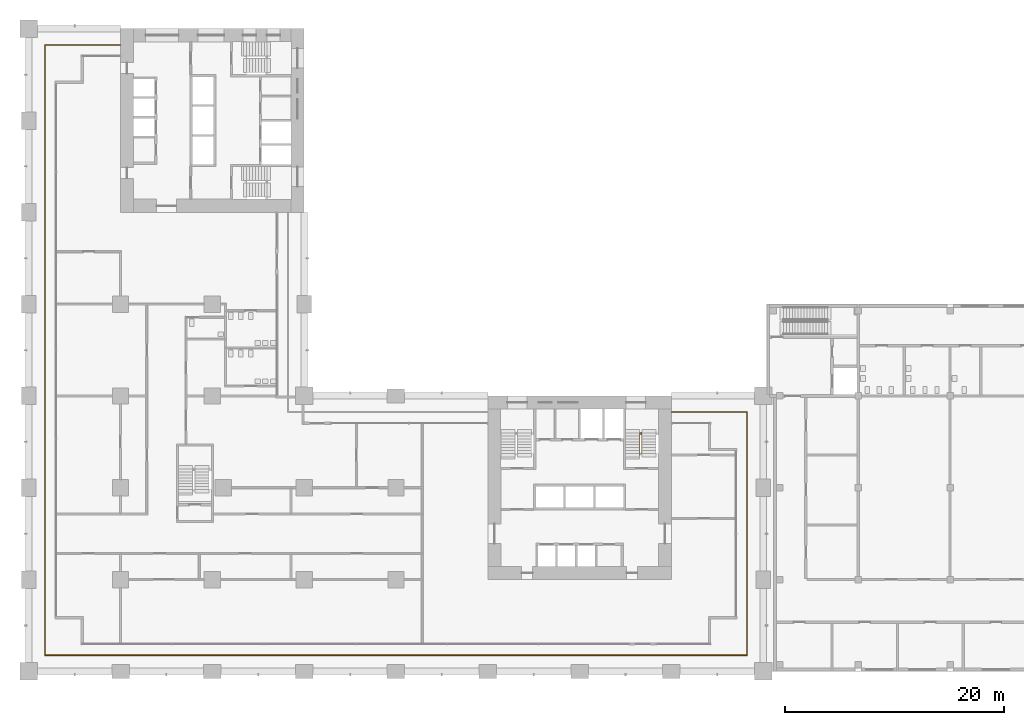
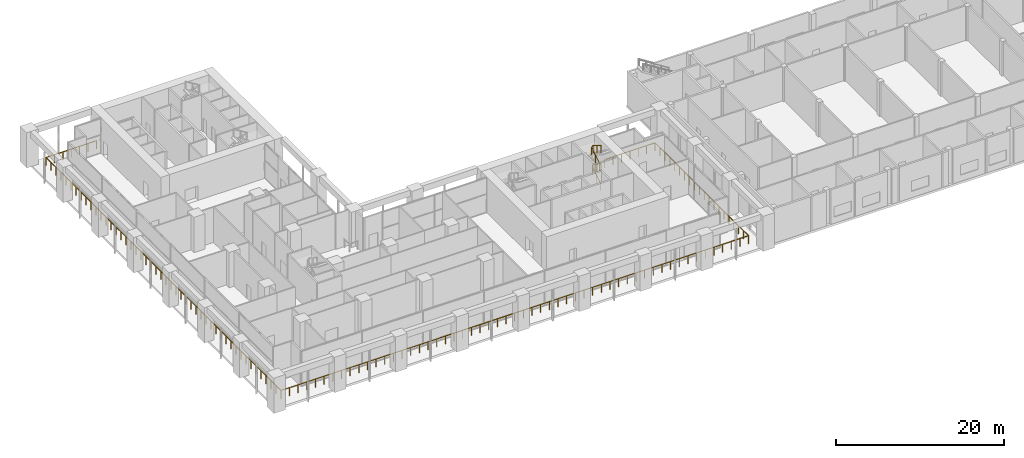
# One storey, part 26 of 32: 2 railings.
"""IFC4 building model written with IfcOpenShell, lengths in metres."""

from ifc_helpers import new_model, si_unit, direction, frame, origin, origin_2d, place, context, subcontext, project, spatial, circle, extrude, material, type_object, element, save


model = new_model("IFC4")

# Units and contexts
model_context = context("Model", 3, precision=1e-05, world=origin(), true_north=direction((0.0, 1.0)))
body_context = subcontext(model_context, "Body", "Model", "MODEL_VIEW")
ifc_project = project(units=[si_unit("LENGTHUNIT", "METRE"), si_unit("AREAUNIT", "SQUARE_METRE"), si_unit("VOLUMEUNIT", "CUBIC_METRE"), si_unit("PLANEANGLEUNIT", "RADIAN"), si_unit("MASSUNIT", "GRAM", prefix="KILO")], contexts=[model_context])

# Site, building, storey
site_placement = place(None, origin())
site = spatial("IfcSite", under=ifc_project, at=site_placement, CompositionType="ELEMENT")
building_placement = place(site_placement, origin())
building = spatial("IfcBuilding", under=site, at=building_placement, Name="Vermilion Gate Residences", CompositionType="ELEMENT")
storey_placement = place(building_placement, frame((0.0, 0.0, 19.800048828125)))
storey = spatial("IfcBuildingStorey", under=building, at=storey_placement, Name="L03", CompositionType="ELEMENT", Elevation=19.800048828125)

# Railings
ifc_material_1 = material(Name="Stainless steel and toughened glass", Category="steel")
railing_type_1 = type_object("IfcRailingType", Name="LOGGIA GUARD STEEL AND GLASS 1200", PredefinedType="GUARDRAIL", material=ifc_material_1)
railing_1_placement = place(storey_placement, frame((8.3779296875, 57.324951171875, 0.0)))
element("IfcRailing", 1, at=railing_1_placement, inside=storey, type_object=railing_type_1, Name="Loggia guard", PredefinedType="GUARDRAIL", context=body_context, shape_type="SweptSolid", body=[
    extrude(circle(Radius=0.030029296875, at=origin_2d()), frame((0.0, 0.0, 1.169921875), z_axis=(-1.0, 0.0, 0.0), x_axis=(0.0, -1.0, 0.0)), (0.0, 0.0, 1.0), 6.90283203125),
    extrude(circle(Radius=0.030029296875, at=origin_2d()), frame((-6.90283203125, 0.0, 1.169921875), z_axis=(0.0, -1.0, 0.0), x_axis=(1.0, 0.0, 0.0)), (0.0, 0.0, 1.0), 55.849853515625),
    extrude(circle(Radius=0.030029296875, at=origin_2d()), frame((-6.90283203125, -55.849853515625, 1.169921875), z_axis=(1.0, 0.0, 0.0), x_axis=(0.0, 1.0, 0.0)), (0.0, 0.0, 1.0), 64.25),
    extrude(circle(Radius=0.030029296875, at=origin_2d()), frame((57.34716796875, -55.849853515625, 1.169921875), z_axis=(0.0, 1.0, 0.0), x_axis=(-1.0, 0.0, 0.0)), (0.0, 0.0, 1.0), 22.25),
    extrude(circle(Radius=0.030029296875, at=origin_2d()), frame((57.34716796875, -33.599853515625, 1.169921875), z_axis=(-1.0, 0.0, 0.0), x_axis=(0.0, -1.0, 0.0)), (0.0, 0.0, 1.0), 6.903076171875),
    extrude(circle(Radius=0.02490234375, at=origin_2d()), origin(), (0.0, 0.0, 1.0), 1.139892578125),
    extrude(circle(Radius=0.02490234375, at=origin_2d()), frame((-1.150390625, 0.0, 0.0)), (0.0, 0.0, 1.0), 1.139892578125),
    extrude(circle(Radius=0.02490234375, at=origin_2d()), frame((-2.301025390625, 0.0, 0.0)), (0.0, 0.0, 1.0), 1.139892578125),
    extrude(circle(Radius=0.02490234375, at=origin_2d()), frame((-3.451416015625, 0.0, 0.0)), (0.0, 0.0, 1.0), 1.139892578125),
    extrude(circle(Radius=0.02490234375, at=origin_2d()), frame((-4.601806640625, 0.0, 0.0)), (0.0, 0.0, 1.0), 1.139892578125),
    extrude(circle(Radius=0.02490234375, at=origin_2d()), frame((-5.75244140625, 0.0, 0.0)), (0.0, 0.0, 1.0), 1.139892578125),
    extrude(circle(Radius=0.02490234375, at=origin_2d()), frame((-6.90283203125, 0.0, 0.0)), (0.0, 0.0, 1.0), 1.139892578125),
    extrude(circle(Radius=0.02490234375, at=origin_2d()), frame((-6.90283203125, -1.188232421875, 0.0)), (0.0, 0.0, 1.0), 1.139892578125),
    extrude(circle(Radius=0.02490234375, at=origin_2d()), frame((-6.90283203125, -2.376708984375, 0.0)), (0.0, 0.0, 1.0), 1.139892578125),
    extrude(circle(Radius=0.02490234375, at=origin_2d()), frame((-6.90283203125, -3.56494140625, 0.0)), (0.0, 0.0, 1.0), 1.139892578125),
    extrude(circle(Radius=0.02490234375, at=origin_2d()), frame((-6.90283203125, -4.753173828125, 0.0)), (0.0, 0.0, 1.0), 1.139892578125),
    extrude(circle(Radius=0.02490234375, at=origin_2d()), frame((-6.90283203125, -5.94140625, 0.0)), (0.0, 0.0, 1.0), 1.139892578125),
    extrude(circle(Radius=0.02490234375, at=origin_2d()), frame((-6.90283203125, -7.1298828125, 0.0)), (0.0, 0.0, 1.0), 1.139892578125),
    extrude(circle(Radius=0.02490234375, at=origin_2d()), frame((-6.90283203125, -8.318115234375, 0.0)), (0.0, 0.0, 1.0), 1.139892578125),
    extrude(circle(Radius=0.02490234375, at=origin_2d()), frame((-6.90283203125, -9.50634765625, 0.0)), (0.0, 0.0, 1.0), 1.139892578125),
    extrude(circle(Radius=0.02490234375, at=origin_2d()), frame((-6.90283203125, -10.694580078125, 0.0)), (0.0, 0.0, 1.0), 1.139892578125),
    extrude(circle(Radius=0.02490234375, at=origin_2d()), frame((-6.90283203125, -11.883056640625, 0.0)), (0.0, 0.0, 1.0), 1.139892578125),
    extrude(circle(Radius=0.02490234375, at=origin_2d()), frame((-6.90283203125, -13.0712890625, 0.0)), (0.0, 0.0, 1.0), 1.139892578125),
    extrude(circle(Radius=0.02490234375, at=origin_2d()), frame((-6.90283203125, -14.259521484375, 0.0)), (0.0, 0.0, 1.0), 1.139892578125),
    extrude(circle(Radius=0.02490234375, at=origin_2d()), frame((-6.90283203125, -15.44775390625, 0.0)), (0.0, 0.0, 1.0), 1.139892578125),
    extrude(circle(Radius=0.02490234375, at=origin_2d()), frame((-6.90283203125, -16.63623046875, 0.0)), (0.0, 0.0, 1.0), 1.139892578125),
    extrude(circle(Radius=0.02490234375, at=origin_2d()), frame((-6.90283203125, -17.824462890625, 0.0)), (0.0, 0.0, 1.0), 1.139892578125),
    extrude(circle(Radius=0.02490234375, at=origin_2d()), frame((-6.90283203125, -19.0126953125, 0.0)), (0.0, 0.0, 1.0), 1.139892578125),
    extrude(circle(Radius=0.02490234375, at=origin_2d()), frame((-6.90283203125, -20.200927734375, 0.0)), (0.0, 0.0, 1.0), 1.139892578125),
    extrude(circle(Radius=0.02490234375, at=origin_2d()), frame((-6.90283203125, -21.389404296875, 0.0)), (0.0, 0.0, 1.0), 1.139892578125),
    extrude(circle(Radius=0.02490234375, at=origin_2d()), frame((-6.90283203125, -22.57763671875, 0.0)), (0.0, 0.0, 1.0), 1.139892578125),
    extrude(circle(Radius=0.02490234375, at=origin_2d()), frame((-6.90283203125, -23.765869140625, 0.0)), (0.0, 0.0, 1.0), 1.139892578125),
    extrude(circle(Radius=0.02490234375, at=origin_2d()), frame((-6.90283203125, -24.9541015625, 0.0)), (0.0, 0.0, 1.0), 1.139892578125),
    extrude(circle(Radius=0.02490234375, at=origin_2d()), frame((-6.90283203125, -26.142578125, 0.0)), (0.0, 0.0, 1.0), 1.139892578125),
    extrude(circle(Radius=0.02490234375, at=origin_2d()), frame((-6.90283203125, -27.330810546875, 0.0)), (0.0, 0.0, 1.0), 1.139892578125),
    extrude(circle(Radius=0.02490234375, at=origin_2d()), frame((-6.90283203125, -28.51904296875, 0.0)), (0.0, 0.0, 1.0), 1.139892578125),
    extrude(circle(Radius=0.02490234375, at=origin_2d()), frame((-6.90283203125, -29.707275390625, 0.0)), (0.0, 0.0, 1.0), 1.139892578125),
    extrude(circle(Radius=0.02490234375, at=origin_2d()), frame((-6.90283203125, -30.895751953125, 0.0)), (0.0, 0.0, 1.0), 1.139892578125),
    extrude(circle(Radius=0.02490234375, at=origin_2d()), frame((-6.90283203125, -32.083984375, 0.0)), (0.0, 0.0, 1.0), 1.139892578125),
    extrude(circle(Radius=0.02490234375, at=origin_2d()), frame((-6.90283203125, -33.272216796875, 0.0)), (0.0, 0.0, 1.0), 1.139892578125),
    extrude(circle(Radius=0.02490234375, at=origin_2d()), frame((-6.90283203125, -34.46044921875, 0.0)), (0.0, 0.0, 1.0), 1.139892578125),
    extrude(circle(Radius=0.02490234375, at=origin_2d()), frame((-6.90283203125, -35.64892578125, 0.0)), (0.0, 0.0, 1.0), 1.139892578125),
    extrude(circle(Radius=0.02490234375, at=origin_2d()), frame((-6.90283203125, -36.837158203125, 0.0)), (0.0, 0.0, 1.0), 1.139892578125),
    extrude(circle(Radius=0.02490234375, at=origin_2d()), frame((-6.90283203125, -38.025390625, 0.0)), (0.0, 0.0, 1.0), 1.139892578125),
    extrude(circle(Radius=0.02490234375, at=origin_2d()), frame((-6.90283203125, -39.213623046875, 0.0)), (0.0, 0.0, 1.0), 1.139892578125),
    extrude(circle(Radius=0.02490234375, at=origin_2d()), frame((-6.90283203125, -40.402099609375, 0.0)), (0.0, 0.0, 1.0), 1.139892578125),
    extrude(circle(Radius=0.02490234375, at=origin_2d()), frame((-6.90283203125, -41.59033203125, 0.0)), (0.0, 0.0, 1.0), 1.139892578125),
    extrude(circle(Radius=0.02490234375, at=origin_2d()), frame((-6.90283203125, -42.778564453125, 0.0)), (0.0, 0.0, 1.0), 1.139892578125),
    extrude(circle(Radius=0.02490234375, at=origin_2d()), frame((-6.90283203125, -43.966796875, 0.0)), (0.0, 0.0, 1.0), 1.139892578125),
    extrude(circle(Radius=0.02490234375, at=origin_2d()), frame((-6.90283203125, -45.1552734375, 0.0)), (0.0, 0.0, 1.0), 1.139892578125),
    extrude(circle(Radius=0.02490234375, at=origin_2d()), frame((-6.90283203125, -46.343505859375, 0.0)), (0.0, 0.0, 1.0), 1.139892578125),
    extrude(circle(Radius=0.02490234375, at=origin_2d()), frame((-6.90283203125, -47.53173828125, 0.0)), (0.0, 0.0, 1.0), 1.139892578125),
    extrude(circle(Radius=0.02490234375, at=origin_2d()), frame((-6.90283203125, -48.719970703125, 0.0)), (0.0, 0.0, 1.0), 1.139892578125),
    extrude(circle(Radius=0.02490234375, at=origin_2d()), frame((-6.90283203125, -49.908447265625, 0.0)), (0.0, 0.0, 1.0), 1.139892578125),
    extrude(circle(Radius=0.02490234375, at=origin_2d()), frame((-6.90283203125, -51.0966796875, 0.0)), (0.0, 0.0, 1.0), 1.139892578125),
    extrude(circle(Radius=0.02490234375, at=origin_2d()), frame((-6.90283203125, -52.284912109375, 0.0)), (0.0, 0.0, 1.0), 1.139892578125),
    extrude(circle(Radius=0.02490234375, at=origin_2d()), frame((-6.90283203125, -53.47314453125, 0.0)), (0.0, 0.0, 1.0), 1.139892578125),
    extrude(circle(Radius=0.02490234375, at=origin_2d()), frame((-6.90283203125, -54.66162109375, 0.0)), (0.0, 0.0, 1.0), 1.139892578125),
    extrude(circle(Radius=0.02490234375, at=origin_2d()), frame((-6.90283203125, -55.849853515625, 0.0)), (0.0, 0.0, 1.0), 1.139892578125),
    extrude(circle(Radius=0.02490234375, at=origin_2d()), frame((-5.713134765625, -55.849853515625, 0.0)), (0.0, 0.0, 1.0), 1.139892578125),
    extrude(circle(Radius=0.02490234375, at=origin_2d()), frame((-4.523193359375, -55.849853515625, 0.0)), (0.0, 0.0, 1.0), 1.139892578125),
    extrude(circle(Radius=0.02490234375, at=origin_2d()), frame((-3.33349609375, -55.849853515625, 0.0)), (0.0, 0.0, 1.0), 1.139892578125),
    extrude(circle(Radius=0.02490234375, at=origin_2d()), frame((-2.1435546875, -55.849853515625, 0.0)), (0.0, 0.0, 1.0), 1.139892578125),
    extrude(circle(Radius=0.02490234375, at=origin_2d()), frame((-0.953857421875, -55.849853515625, 0.0)), (0.0, 0.0, 1.0), 1.139892578125),
    extrude(circle(Radius=0.02490234375, at=origin_2d()), frame((0.236083984375, -55.849853515625, 0.0)), (0.0, 0.0, 1.0), 1.139892578125),
    extrude(circle(Radius=0.02490234375, at=origin_2d()), frame((1.42578125, -55.849853515625, 0.0)), (0.0, 0.0, 1.0), 1.139892578125),
    extrude(circle(Radius=0.02490234375, at=origin_2d()), frame((2.61572265625, -55.849853515625, 0.0)), (0.0, 0.0, 1.0), 1.139892578125),
    extrude(circle(Radius=0.02490234375, at=origin_2d()), frame((3.805419921875, -55.849853515625, 0.0)), (0.0, 0.0, 1.0), 1.139892578125),
    extrude(circle(Radius=0.02490234375, at=origin_2d()), frame((4.995361328125, -55.849853515625, 0.0)), (0.0, 0.0, 1.0), 1.139892578125),
    extrude(circle(Radius=0.02490234375, at=origin_2d()), frame((6.18505859375, -55.849853515625, 0.0)), (0.0, 0.0, 1.0), 1.139892578125),
    extrude(circle(Radius=0.02490234375, at=origin_2d()), frame((7.375, -55.849853515625, 0.0)), (0.0, 0.0, 1.0), 1.139892578125),
    extrude(circle(Radius=0.02490234375, at=origin_2d()), frame((8.564697265625, -55.849853515625, 0.0)), (0.0, 0.0, 1.0), 1.139892578125),
    extrude(circle(Radius=0.02490234375, at=origin_2d()), frame((9.754638671875, -55.849853515625, 0.0)), (0.0, 0.0, 1.0), 1.139892578125),
    extrude(circle(Radius=0.02490234375, at=origin_2d()), frame((10.9443359375, -55.849853515625, 0.0)), (0.0, 0.0, 1.0), 1.139892578125),
    extrude(circle(Radius=0.02490234375, at=origin_2d()), frame((12.13427734375, -55.849853515625, 0.0)), (0.0, 0.0, 1.0), 1.139892578125),
    extrude(circle(Radius=0.02490234375, at=origin_2d()), frame((13.323974609375, -55.849853515625, 0.0)), (0.0, 0.0, 1.0), 1.139892578125),
    extrude(circle(Radius=0.02490234375, at=origin_2d()), frame((14.513916015625, -55.849853515625, 0.0)), (0.0, 0.0, 1.0), 1.139892578125),
    extrude(circle(Radius=0.02490234375, at=origin_2d()), frame((15.70361328125, -55.849853515625, 0.0)), (0.0, 0.0, 1.0), 1.139892578125),
    extrude(circle(Radius=0.02490234375, at=origin_2d()), frame((16.8935546875, -55.849853515625, 0.0)), (0.0, 0.0, 1.0), 1.139892578125),
    extrude(circle(Radius=0.02490234375, at=origin_2d()), frame((18.083251953125, -55.849853515625, 0.0)), (0.0, 0.0, 1.0), 1.139892578125),
    extrude(circle(Radius=0.02490234375, at=origin_2d()), frame((19.273193359375, -55.849853515625, 0.0)), (0.0, 0.0, 1.0), 1.139892578125),
    extrude(circle(Radius=0.02490234375, at=origin_2d()), frame((20.462890625, -55.849853515625, 0.0)), (0.0, 0.0, 1.0), 1.139892578125),
    extrude(circle(Radius=0.02490234375, at=origin_2d()), frame((21.65283203125, -55.849853515625, 0.0)), (0.0, 0.0, 1.0), 1.139892578125),
    extrude(circle(Radius=0.02490234375, at=origin_2d()), frame((22.842529296875, -55.849853515625, 0.0)), (0.0, 0.0, 1.0), 1.139892578125),
    extrude(circle(Radius=0.02490234375, at=origin_2d()), frame((24.032470703125, -55.849853515625, 0.0)), (0.0, 0.0, 1.0), 1.139892578125),
    extrude(circle(Radius=0.02490234375, at=origin_2d()), frame((25.22216796875, -55.849853515625, 0.0)), (0.0, 0.0, 1.0), 1.139892578125),
    extrude(circle(Radius=0.02490234375, at=origin_2d()), frame((26.411865234375, -55.849853515625, 0.0)), (0.0, 0.0, 1.0), 1.139892578125),
    extrude(circle(Radius=0.02490234375, at=origin_2d()), frame((27.601806640625, -55.849853515625, 0.0)), (0.0, 0.0, 1.0), 1.139892578125),
    extrude(circle(Radius=0.02490234375, at=origin_2d()), frame((28.79150390625, -55.849853515625, 0.0)), (0.0, 0.0, 1.0), 1.139892578125),
    extrude(circle(Radius=0.02490234375, at=origin_2d()), frame((29.9814453125, -55.849853515625, 0.0)), (0.0, 0.0, 1.0), 1.139892578125),
    extrude(circle(Radius=0.02490234375, at=origin_2d()), frame((31.171142578125, -55.849853515625, 0.0)), (0.0, 0.0, 1.0), 1.139892578125),
    extrude(circle(Radius=0.02490234375, at=origin_2d()), frame((32.361083984375, -55.849853515625, 0.0)), (0.0, 0.0, 1.0), 1.139892578125),
    extrude(circle(Radius=0.02490234375, at=origin_2d()), frame((33.55078125, -55.849853515625, 0.0)), (0.0, 0.0, 1.0), 1.139892578125),
    extrude(circle(Radius=0.02490234375, at=origin_2d()), frame((34.74072265625, -55.849853515625, 0.0)), (0.0, 0.0, 1.0), 1.139892578125),
    extrude(circle(Radius=0.02490234375, at=origin_2d()), frame((35.930419921875, -55.849853515625, 0.0)), (0.0, 0.0, 1.0), 1.139892578125),
    extrude(circle(Radius=0.02490234375, at=origin_2d()), frame((37.120361328125, -55.849853515625, 0.0)), (0.0, 0.0, 1.0), 1.139892578125),
    extrude(circle(Radius=0.02490234375, at=origin_2d()), frame((38.31005859375, -55.849853515625, 0.0)), (0.0, 0.0, 1.0), 1.139892578125),
    extrude(circle(Radius=0.02490234375, at=origin_2d()), frame((39.5, -55.849853515625, 0.0)), (0.0, 0.0, 1.0), 1.139892578125),
    extrude(circle(Radius=0.02490234375, at=origin_2d()), frame((40.689697265625, -55.849853515625, 0.0)), (0.0, 0.0, 1.0), 1.139892578125),
    extrude(circle(Radius=0.02490234375, at=origin_2d()), frame((41.879638671875, -55.849853515625, 0.0)), (0.0, 0.0, 1.0), 1.139892578125),
    extrude(circle(Radius=0.02490234375, at=origin_2d()), frame((43.0693359375, -55.849853515625, 0.0)), (0.0, 0.0, 1.0), 1.139892578125),
    extrude(circle(Radius=0.02490234375, at=origin_2d()), frame((44.25927734375, -55.849853515625, 0.0)), (0.0, 0.0, 1.0), 1.139892578125),
    extrude(circle(Radius=0.02490234375, at=origin_2d()), frame((45.448974609375, -55.849853515625, 0.0)), (0.0, 0.0, 1.0), 1.139892578125),
    extrude(circle(Radius=0.02490234375, at=origin_2d()), frame((46.638916015625, -55.849853515625, 0.0)), (0.0, 0.0, 1.0), 1.139892578125),
    extrude(circle(Radius=0.02490234375, at=origin_2d()), frame((47.82861328125, -55.849853515625, 0.0)), (0.0, 0.0, 1.0), 1.139892578125),
    extrude(circle(Radius=0.02490234375, at=origin_2d()), frame((49.0185546875, -55.849853515625, 0.0)), (0.0, 0.0, 1.0), 1.139892578125),
    extrude(circle(Radius=0.02490234375, at=origin_2d()), frame((50.208251953125, -55.849853515625, 0.0)), (0.0, 0.0, 1.0), 1.139892578125),
    extrude(circle(Radius=0.02490234375, at=origin_2d()), frame((51.398193359375, -55.849853515625, 0.0)), (0.0, 0.0, 1.0), 1.139892578125),
    extrude(circle(Radius=0.02490234375, at=origin_2d()), frame((52.587890625, -55.849853515625, 0.0)), (0.0, 0.0, 1.0), 1.139892578125),
    extrude(circle(Radius=0.02490234375, at=origin_2d()), frame((53.77783203125, -55.849853515625, 0.0)), (0.0, 0.0, 1.0), 1.139892578125),
    extrude(circle(Radius=0.02490234375, at=origin_2d()), frame((54.967529296875, -55.849853515625, 0.0)), (0.0, 0.0, 1.0), 1.139892578125),
    extrude(circle(Radius=0.02490234375, at=origin_2d()), frame((56.157470703125, -55.849853515625, 0.0)), (0.0, 0.0, 1.0), 1.139892578125),
    extrude(circle(Radius=0.02490234375, at=origin_2d()), frame((57.34716796875, -55.849853515625, 0.0)), (0.0, 0.0, 1.0), 1.139892578125),
    extrude(circle(Radius=0.02490234375, at=origin_2d()), frame((57.34716796875, -54.6787109375, 0.0)), (0.0, 0.0, 1.0), 1.139892578125),
    extrude(circle(Radius=0.02490234375, at=origin_2d()), frame((57.34716796875, -53.5078125, 0.0)), (0.0, 0.0, 1.0), 1.139892578125),
    extrude(circle(Radius=0.02490234375, at=origin_2d()), frame((57.34716796875, -52.336669921875, 0.0)), (0.0, 0.0, 1.0), 1.139892578125),
    extrude(circle(Radius=0.02490234375, at=origin_2d()), frame((57.34716796875, -51.16552734375, 0.0)), (0.0, 0.0, 1.0), 1.139892578125),
    extrude(circle(Radius=0.02490234375, at=origin_2d()), frame((57.34716796875, -49.99462890625, 0.0)), (0.0, 0.0, 1.0), 1.139892578125),
    extrude(circle(Radius=0.02490234375, at=origin_2d()), frame((57.34716796875, -48.823486328125, 0.0)), (0.0, 0.0, 1.0), 1.139892578125),
    extrude(circle(Radius=0.02490234375, at=origin_2d()), frame((57.34716796875, -47.652587890625, 0.0)), (0.0, 0.0, 1.0), 1.139892578125),
    extrude(circle(Radius=0.02490234375, at=origin_2d()), frame((57.34716796875, -46.4814453125, 0.0)), (0.0, 0.0, 1.0), 1.139892578125),
    extrude(circle(Radius=0.02490234375, at=origin_2d()), frame((57.34716796875, -45.310302734375, 0.0)), (0.0, 0.0, 1.0), 1.139892578125),
    extrude(circle(Radius=0.02490234375, at=origin_2d()), frame((57.34716796875, -44.139404296875, 0.0)), (0.0, 0.0, 1.0), 1.139892578125),
    extrude(circle(Radius=0.02490234375, at=origin_2d()), frame((57.34716796875, -42.96826171875, 0.0)), (0.0, 0.0, 1.0), 1.139892578125),
    extrude(circle(Radius=0.02490234375, at=origin_2d()), frame((57.34716796875, -41.797119140625, 0.0)), (0.0, 0.0, 1.0), 1.139892578125),
    extrude(circle(Radius=0.02490234375, at=origin_2d()), frame((57.34716796875, -40.626220703125, 0.0)), (0.0, 0.0, 1.0), 1.139892578125),
    extrude(circle(Radius=0.02490234375, at=origin_2d()), frame((57.34716796875, -39.455078125, 0.0)), (0.0, 0.0, 1.0), 1.139892578125),
    extrude(circle(Radius=0.02490234375, at=origin_2d()), frame((57.34716796875, -38.2841796875, 0.0)), (0.0, 0.0, 1.0), 1.139892578125),
    extrude(circle(Radius=0.02490234375, at=origin_2d()), frame((57.34716796875, -37.113037109375, 0.0)), (0.0, 0.0, 1.0), 1.139892578125),
    extrude(circle(Radius=0.02490234375, at=origin_2d()), frame((57.34716796875, -35.94189453125, 0.0)), (0.0, 0.0, 1.0), 1.139892578125),
    extrude(circle(Radius=0.02490234375, at=origin_2d()), frame((57.34716796875, -34.77099609375, 0.0)), (0.0, 0.0, 1.0), 1.139892578125),
    extrude(circle(Radius=0.02490234375, at=origin_2d()), frame((57.34716796875, -33.599853515625, 0.0)), (0.0, 0.0, 1.0), 1.139892578125),
    extrude(circle(Radius=0.02490234375, at=origin_2d()), frame((56.19677734375, -33.599853515625, 0.0)), (0.0, 0.0, 1.0), 1.139892578125),
    extrude(circle(Radius=0.02490234375, at=origin_2d()), frame((55.046142578125, -33.599853515625, 0.0)), (0.0, 0.0, 1.0), 1.139892578125),
    extrude(circle(Radius=0.02490234375, at=origin_2d()), frame((53.8955078125, -33.599853515625, 0.0)), (0.0, 0.0, 1.0), 1.139892578125),
    extrude(circle(Radius=0.02490234375, at=origin_2d()), frame((52.7451171875, -33.599853515625, 0.0)), (0.0, 0.0, 1.0), 1.139892578125),
    extrude(circle(Radius=0.02490234375, at=origin_2d()), frame((51.5947265625, -33.599853515625, 0.0)), (0.0, 0.0, 1.0), 1.139892578125),
    extrude(circle(Radius=0.02490234375, at=origin_2d()), frame((50.444091796875, -33.599853515625, 0.0)), (0.0, 0.0, 1.0), 1.139892578125),
])
ifc_material_2 = material(Name="Steel S355", Category="steel")
railing_type_2 = type_object("IfcRailingType", Name="STAIR GUARD 1100 STEEL", PredefinedType="GUARDRAIL", material=ifc_material_2)
railing_2_placement = place(storey_placement, frame((55.89990234375, 19.75, 0.168701171875)))
element("IfcRailing", 2, at=railing_2_placement, inside=storey, type_object=railing_type_2, Name="Stair well guard STA2-03", PredefinedType="GUARDRAIL", context=body_context, shape_type="SweptSolid", body=[
    extrude(circle(Radius=0.02392578125, at=origin_2d()), frame((0.0, 0.0, 1.076171875), z_axis=(0.0, 0.848004458282, 0.529989093033), x_axis=(-1.0, 0.0, 0.0)), (0.0, 0.0, 1.0), 2.228515625),
    extrude(circle(Radius=0.02392578125, at=origin_2d()), frame((0.0, 1.889892578125, 2.25732421875), z_axis=(0.629669573289, 0.56670261596, 0.531379688678), x_axis=(-0.668964731622, 0.743294146247, 0.0)), (0.0, 0.0, 1.0), 0.31787109375),
    extrude(circle(Radius=0.02392578125, at=origin_2d()), frame((0.2001953125, 2.070068359375, 2.42626953125), z_axis=(0.0, -0.848035224522, 0.529939862598), x_axis=(1.0, 0.0, 0.0)), (0.0, 0.0, 1.0), 2.228759765625),
    extrude(circle(Radius=0.02392578125, at=origin_2d()), frame((0.2001953125, 0.179931640625, 3.607421875), z_axis=(-0.764693508358, 0.0, 0.64439416375), x_axis=(0.0, -1.0, 0.0)), (0.0, 0.0, 1.0), 0.26171875),
    extrude(circle(Radius=0.02392578125, at=origin_2d()), frame((0.0, 0.179931640625, 3.77587890625), z_axis=(0.0, 0.847985996966, 0.530018630757), x_axis=(-1.0, 0.0, 0.0)), (0.0, 0.0, 1.0), 2.22900390625),
    extrude(circle(Radius=0.02392578125, at=origin_2d()), frame((0.0, 2.070068359375, 4.95751953125), z_axis=(0.764693508358, 0.0, 0.64439416375), x_axis=(0.0, 1.0, 0.0)), (0.0, 0.0, 1.0), 0.26171875),
    extrude(circle(Radius=0.02392578125, at=origin_2d()), frame((0.2001953125, 2.070068359375, 5.1259765625), z_axis=(0.0, -0.848035224522, 0.529939862598), x_axis=(1.0, 0.0, 0.0)), (0.0, 0.0, 1.0), 2.228759765625),
    extrude(circle(Radius=0.02099609375, at=origin_2d()), origin(), (0.0, 0.0, 1.0), 1.052001953125),
    extrude(circle(Radius=0.02099609375, at=origin_2d()), frame((0.0, 0.94482421875, 0.590576171875)), (0.0, 0.0, 1.0), 1.052001953125),
    extrude(circle(Radius=0.02099609375, at=origin_2d()), frame((0.0, 1.889892578125, 1.18115234375)), (0.0, 0.0, 1.0), 1.052001953125),
    extrude(circle(Radius=0.02099609375, at=origin_2d()), frame((0.2001953125, 2.070068359375, 1.35009765625)), (0.0, 0.0, 1.0), 1.052001953125),
    extrude(circle(Radius=0.02099609375, at=origin_2d()), frame((0.2001953125, 1.125, 1.940673828125)), (0.0, 0.0, 1.0), 1.052001953125),
    extrude(circle(Radius=0.02099609375, at=origin_2d()), frame((0.2001953125, 0.179931640625, 2.53125)), (0.0, 0.0, 1.0), 1.052001953125),
    extrude(circle(Radius=0.02099609375, at=origin_2d()), frame((0.0, 0.179931640625, 2.699951171875)), (0.0, 0.0, 1.0), 1.052001953125),
    extrude(circle(Radius=0.02099609375, at=origin_2d()), frame((0.0, 1.125, 3.29052734375)), (0.0, 0.0, 1.0), 1.052001953125),
    extrude(circle(Radius=0.02099609375, at=origin_2d()), frame((0.0, 2.070068359375, 3.88134765625)), (0.0, 0.0, 1.0), 1.052001953125),
    extrude(circle(Radius=0.02099609375, at=origin_2d()), frame((0.2001953125, 2.070068359375, 4.050048828125)), (0.0, 0.0, 1.0), 1.052001953125),
    extrude(circle(Radius=0.02099609375, at=origin_2d()), frame((0.2001953125, 1.125, 4.640625)), (0.0, 0.0, 1.0), 1.052001953125),
    extrude(circle(Radius=0.02099609375, at=origin_2d()), frame((0.2001953125, 0.179931640625, 5.231201171875)), (0.0, 0.0, 1.0), 1.052001953125),
])

save(model, "model.ifc")
